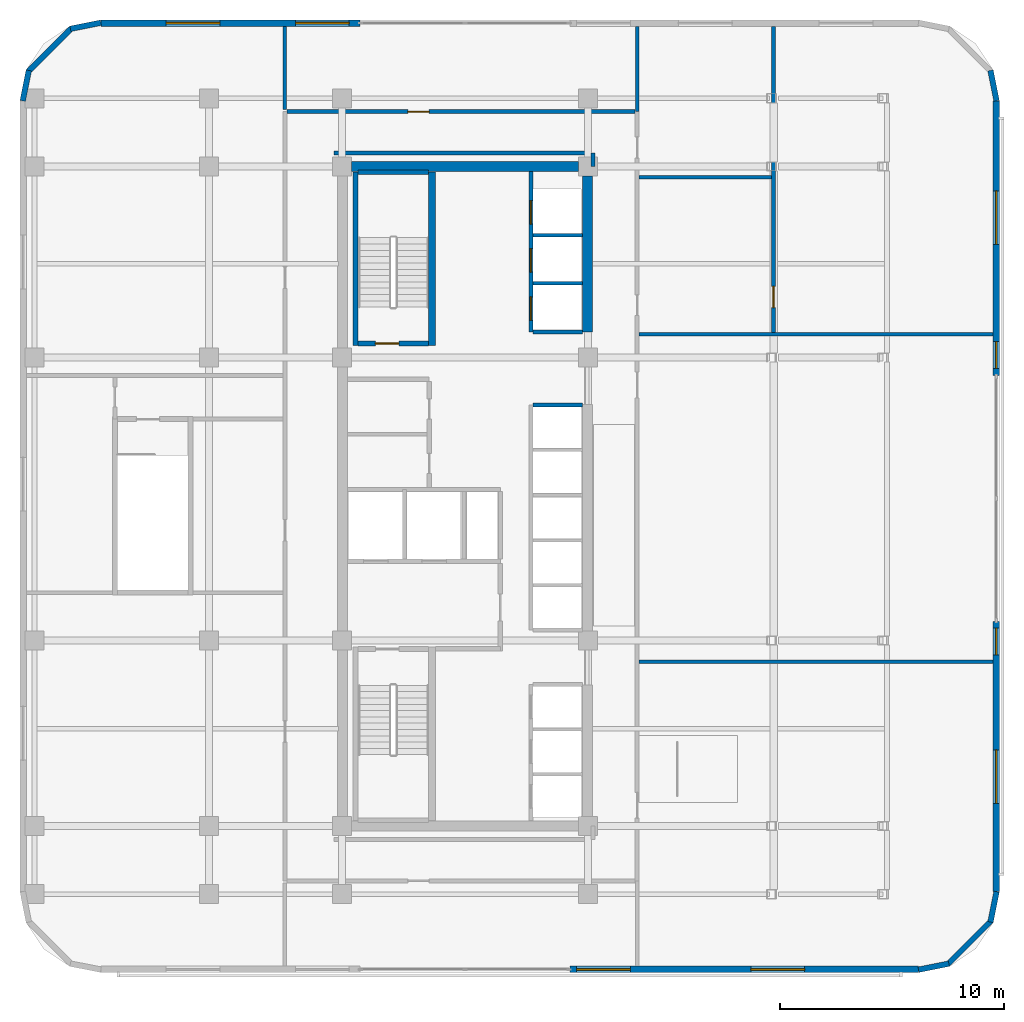
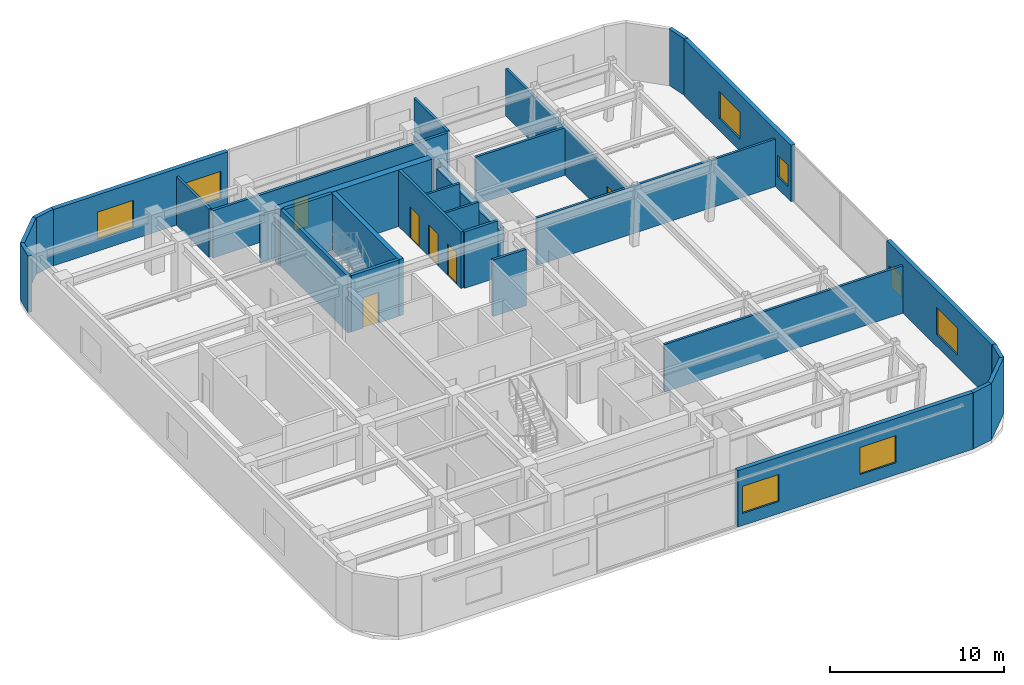
# One storey, part 8 of 13: 31 walls, 8 windows, 6 doors, 14 openings.
"""IFC4 building model written with IfcOpenShell, lengths in metres."""

from ifc_helpers import new_model, si_unit, direction, frame, frame_2d, origin, place, context, subcontext, project, spatial, rectangle, extrude, material, layer, layer_set, type_object, element, fill, save


model = new_model("IFC4")

# Units and contexts
model_context = context("Model", 3, precision=1e-05, world=origin(), true_north=direction((0.0, 1.0)))
body_context = subcontext(model_context, "Body", "Model", "MODEL_VIEW")
ifc_project = project(units=[si_unit("LENGTHUNIT", "METRE"), si_unit("AREAUNIT", "SQUARE_METRE"), si_unit("VOLUMEUNIT", "CUBIC_METRE"), si_unit("PLANEANGLEUNIT", "RADIAN"), si_unit("MASSUNIT", "GRAM", prefix="KILO")], contexts=[model_context])

# Site, building, storey
site_placement = place(None, origin())
site = spatial("IfcSite", under=ifc_project, at=site_placement, CompositionType="ELEMENT")
building_placement = place(site_placement, origin())
building = spatial("IfcBuilding", under=site, at=building_placement, Name="Ochreholt Gables", CompositionType="ELEMENT")
storey_placement = place(building_placement, frame((0.0, 0.0, 98.39990234375)))
storey = spatial("IfcBuildingStorey", under=building, at=storey_placement, Name="L25", CompositionType="ELEMENT", Elevation=98.39990234375)

# Walls
ifc_material_1 = material(Name="Concrete 60 MPa", Category="concrete")
ifc_layer_1 = layer(ifc_material_1, 0.449951171875, Name="Concrete 60 MPa")
ifc_layer_set_1 = layer_set([ifc_layer_1], Name="Concrete 60 MPa")
wall_type_1 = type_object("IfcWallType", Name="WALL-CSW-450", PredefinedType="SHEAR", material=ifc_layer_set_1)
wall_1_placement = place(storey_placement, frame((35.175048828125, 31.35009765625, 0.0), z_axis=(0.0, 0.0, 1.0), x_axis=(0.0, 1.0, 0.0)))
element("IfcWall", 1, at=wall_1_placement, inside=storey, type_object=wall_type_1, Name="L25 Core North-East Shear Wall", PredefinedType="SHEAR", context=body_context, shape_type="SweptSolid", body=[
    extrude(rectangle(XDim=6.974853515625, YDim=0.449951171875, at=frame_2d((3.4873046875, 0.0))), origin(), (0.0, 0.0, 1.0), 3.34912109375),
])
wall_2_placement = place(storey_placement, frame((24.625, 38.75, 0.0), z_axis=(0.0, 0.0, 1.0), x_axis=(1.0, 0.0, 0.0)))
element("IfcWall", 2, at=wall_2_placement, inside=storey, type_object=wall_type_1, Name="L25 Core North Shear Wall", PredefinedType="SHEAR", context=body_context, shape_type="SweptSolid", body=[
    extrude(rectangle(XDim=10.14990234375, YDim=0.449951171875, at=frame_2d((5.074951171875, 0.0))), origin(), (0.0, 0.0, 1.0), 3.960205078125),
])

# Wall, openings, windows
ifc_material_2 = material(Name="Precast concrete 40 MPa", Category="concrete")
ifc_layer_2 = layer(ifc_material_2, 0.280029296875, Name="Precast concrete 40 MPa")
ifc_layer_set_2 = layer_set([ifc_layer_2], Name="Precast concrete 40 MPa")
wall_type_2 = type_object("IfcWallType", Name="WALL-EXT-280", PredefinedType="SOLIDWALL", material=ifc_layer_set_2)
wall_3_placement = place(storey_placement, frame((34.39990234375, 2.840087890625, 0.0), z_axis=(0.0, 0.0, 1.0), x_axis=(1.0, 0.0, 0.0)))
wall_3 = element("IfcWall", 3, at=wall_3_placement, inside=storey, type_object=wall_type_2, Name="L25 South Facade Wall 2", PredefinedType="SOLIDWALL", context=body_context, shape_type="SweptSolid", body=[
    extrude(rectangle(XDim=15.580078125, YDim=0.280029296875, at=frame_2d((7.7900390625, 0.0))), origin(), (0.0, 0.0, 1.0), 3.960205078125),
])
opening_1_placement = place(wall_3_placement, frame((0.300048828125, 0.0, 0.85009765625)))
opening_1 = element("IfcOpeningElement", 4, at=opening_1_placement, cuts=wall_3, Name="Opening WN-5", PredefinedType="OPENING", context=body_context, shape_type="SweptSolid", body=[
    extrude(rectangle(XDim=2.39990234375, YDim=1.89990234375, at=frame_2d((1.199951171875, 0.949951171875))), frame((0.0, 0.14990234375, 0.0), z_axis=(0.0, -1.0, 0.0), x_axis=(1.0, 0.0, 0.0)), (0.0, 0.0, 1.0), 0.300048828125),
])
opening_2_placement = place(wall_3_placement, frame((8.090087890625, 0.0, 0.85009765625)))
opening_2 = element("IfcOpeningElement", 5, at=opening_2_placement, cuts=wall_3, Name="Opening WN-5", PredefinedType="OPENING", context=body_context, shape_type="SweptSolid", body=[
    extrude(rectangle(XDim=2.39990234375, YDim=1.89990234375, at=frame_2d((1.199951171875, 0.949951171875))), frame((0.0, 0.14990234375, 0.0), z_axis=(0.0, -1.0, 0.0), x_axis=(1.0, 0.0, 0.0)), (0.0, 0.0, 1.0), 0.300048828125),
])
ifc_material_3 = material(Name="Triple-Glazed Thermally Broken Aluminium Window", Category="aluminium")
window_type_1 = type_object("IfcWindowType", Name="WIN-COM-2400", PartitioningType="SINGLE_PANEL", PredefinedType="WINDOW", material=ifc_material_3)
window_1_placement = place(opening_1_placement, origin())
window_1 = element("IfcWindow", 6, at=window_1_placement, inside=storey, type_object=window_type_1, Name="L25 Window W-EXT-S2-L25-1", OverallHeight=1.89990234375, OverallWidth=2.39990234375, PartitioningType="SINGLE_PANEL", PredefinedType="WINDOW", context=body_context, shape_type="SweptSolid", body=[
    extrude(rectangle(XDim=2.39990234375, YDim=1.89990234375, at=frame_2d((1.199951171875, 0.949951171875))), frame((0.0, 0.030029296875, 0.0), z_axis=(0.0, -1.0, 0.0), x_axis=(1.0, 0.0, 0.0)), (0.0, 0.0, 1.0), 0.06005859375),
])
fill(opening_1, window_1)
window_2_placement = place(opening_2_placement, origin())
window_2 = element("IfcWindow", 7, at=window_2_placement, inside=storey, type_object=window_type_1, Name="L25 Window W-EXT-S2-L25-2", OverallHeight=1.89990234375, OverallWidth=2.39990234375, PartitioningType="SINGLE_PANEL", PredefinedType="WINDOW", context=body_context, shape_type="SweptSolid", body=[
    extrude(rectangle(XDim=2.39990234375, YDim=1.89990234375, at=frame_2d((1.199951171875, 0.949951171875))), frame((0.0, 0.030029296875, 0.0), z_axis=(0.0, -1.0, 0.0), x_axis=(1.0, 0.0, 0.0)), (0.0, 0.0, 1.0), 0.06005859375),
])
fill(opening_2, window_2)

wall_4_placement = place(storey_placement, frame((53.4599609375, 6.320068359375, 0.0), z_axis=(0.0, 0.0, 1.0), x_axis=(0.0, 1.0, 0.0)))
wall_4 = element("IfcWall", 8, at=wall_4_placement, inside=storey, type_object=wall_type_2, Name="L25 East Facade Wall 1", PredefinedType="SOLIDWALL", context=body_context, shape_type="SweptSolid", body=[
    extrude(rectangle(XDim=12.079833984375, YDim=0.280029296875, at=frame_2d((6.0400390625, 0.0))), origin(), (0.0, 0.0, 1.0), 3.960205078125),
])
opening_3_placement = place(wall_4_placement, frame((3.93994140625, 0.0, 0.85009765625)))
opening_3 = element("IfcOpeningElement", 9, at=opening_3_placement, cuts=wall_4, Name="Opening WN-5", PredefinedType="OPENING", context=body_context, shape_type="SweptSolid", body=[
    extrude(rectangle(XDim=2.39990234375, YDim=1.89990234375, at=frame_2d((1.199951171875, 0.949951171875))), frame((0.0, 0.14990234375, 0.0), z_axis=(0.0, -1.0, 0.0), x_axis=(1.0, 0.0, 0.0)), (0.0, 0.0, 1.0), 0.300048828125),
])
opening_4_placement = place(wall_4_placement, frame((10.580078125, 0.0, 0.85009765625)))
opening_4 = element("IfcOpeningElement", 10, at=opening_4_placement, cuts=wall_4, Name="Opening WN-3", PredefinedType="OPENING", context=body_context, shape_type="SweptSolid", body=[
    extrude(rectangle(XDim=1.199951171875, YDim=1.5, at=frame_2d((0.60009765625, 0.75))), frame((0.0, 0.14990234375, 0.0), z_axis=(0.0, -1.0, 0.0), x_axis=(1.0, 0.0, 0.0)), (0.0, 0.0, 1.0), 0.300048828125),
])
window_3_placement = place(opening_3_placement, origin())
window_3 = element("IfcWindow", 11, at=window_3_placement, inside=storey, type_object=window_type_1, Name="L25 Window W-EXT-E1-L25-1", OverallHeight=1.89990234375, OverallWidth=2.39990234375, PartitioningType="SINGLE_PANEL", PredefinedType="WINDOW", context=body_context, shape_type="SweptSolid", body=[
    extrude(rectangle(XDim=2.39990234375, YDim=1.89990234375, at=frame_2d((1.199951171875, 0.949951171875))), frame((0.0, 0.030029296875, 0.0), z_axis=(0.0, -1.0, 0.0), x_axis=(1.0, 0.0, 0.0)), (0.0, 0.0, 1.0), 0.06005859375),
])
fill(opening_3, window_3)
window_type_2 = type_object("IfcWindowType", Name="WIN-RES-1200", PartitioningType="SINGLE_PANEL", PredefinedType="WINDOW", material=ifc_material_3)
window_4_placement = place(opening_4_placement, origin())
window_4 = element("IfcWindow", 12, at=window_4_placement, inside=storey, type_object=window_type_2, Name="L25 Window W-EXT-E1-L25-2", OverallHeight=1.5, OverallWidth=1.199951171875, PartitioningType="SINGLE_PANEL", PredefinedType="WINDOW", context=body_context, shape_type="SweptSolid", body=[
    extrude(rectangle(XDim=1.199951171875, YDim=1.5, at=frame_2d((0.60009765625, 0.75))), frame((0.0, 0.030029296875, 0.0), z_axis=(0.0, -1.0, 0.0), x_axis=(1.0, 0.0, 0.0)), (0.0, 0.0, 1.0), 0.06005859375),
])
fill(opening_4, window_4)

wall_5_placement = place(storey_placement, frame((53.4599609375, 29.39990234375, 0.0), z_axis=(0.0, 0.0, 1.0), x_axis=(0.0, 1.0, 0.0)))
wall_5 = element("IfcWall", 13, at=wall_5_placement, inside=storey, type_object=wall_type_2, Name="L25 East Facade Wall 2", PredefinedType="SOLIDWALL", context=body_context, shape_type="SweptSolid", body=[
    extrude(rectangle(XDim=12.280029296875, YDim=0.280029296875, at=frame_2d((6.14013671875, 0.0))), origin(), (0.0, 0.0, 1.0), 3.960205078125),
])
opening_5_placement = place(wall_5_placement, frame((0.320068359375, 0.0, 0.85009765625)))
opening_5 = element("IfcOpeningElement", 14, at=opening_5_placement, cuts=wall_5, Name="Opening WN-3", PredefinedType="OPENING", context=body_context, shape_type="SweptSolid", body=[
    extrude(rectangle(XDim=1.199951171875, YDim=1.5, at=frame_2d((0.60009765625, 0.75))), frame((0.0, 0.14990234375, 0.0), z_axis=(0.0, -1.0, 0.0), x_axis=(1.0, 0.0, 0.0)), (0.0, 0.0, 1.0), 0.300048828125),
])
opening_6_placement = place(wall_5_placement, frame((5.860107421875, 0.0, 0.85009765625)))
opening_6 = element("IfcOpeningElement", 15, at=opening_6_placement, cuts=wall_5, Name="Opening WN-5", PredefinedType="OPENING", context=body_context, shape_type="SweptSolid", body=[
    extrude(rectangle(XDim=2.39990234375, YDim=1.89990234375, at=frame_2d((1.199951171875, 0.949951171875))), frame((0.0, 0.14990234375, 0.0), z_axis=(0.0, -1.0, 0.0), x_axis=(1.0, 0.0, 0.0)), (0.0, 0.0, 1.0), 0.300048828125),
])
window_5_placement = place(opening_6_placement, origin())
window_5 = element("IfcWindow", 16, at=window_5_placement, inside=storey, type_object=window_type_1, Name="L25 Window W-EXT-E2-L25-2", OverallHeight=1.89990234375, OverallWidth=2.39990234375, PartitioningType="SINGLE_PANEL", PredefinedType="WINDOW", context=body_context, shape_type="SweptSolid", body=[
    extrude(rectangle(XDim=2.39990234375, YDim=1.89990234375, at=frame_2d((1.199951171875, 0.949951171875))), frame((0.0, 0.030029296875, 0.0), z_axis=(0.0, -1.0, 0.0), x_axis=(1.0, 0.0, 0.0)), (0.0, 0.0, 1.0), 0.06005859375),
])
fill(opening_6, window_5)
window_6_placement = place(opening_5_placement, origin())
window_6 = element("IfcWindow", 17, at=window_6_placement, inside=storey, type_object=window_type_2, Name="L25 Window W-EXT-E2-L25-1", OverallHeight=1.5, OverallWidth=1.199951171875, PartitioningType="SINGLE_PANEL", PredefinedType="WINDOW", context=body_context, shape_type="SweptSolid", body=[
    extrude(rectangle(XDim=1.199951171875, YDim=1.5, at=frame_2d((0.60009765625, 0.75))), frame((0.0, 0.030029296875, 0.0), z_axis=(0.0, -1.0, 0.0), x_axis=(1.0, 0.0, 0.0)), (0.0, 0.0, 1.0), 0.06005859375),
])
fill(opening_5, window_6)

wall_6_placement = place(storey_placement, frame((25.0, 45.159912109375, 0.0), z_axis=(0.0, 0.0, 1.0), x_axis=(-1.0, 0.0, 0.0)))
wall_6 = element("IfcWall", 18, at=wall_6_placement, inside=storey, type_object=wall_type_2, Name="L25 North Facade Wall 2", PredefinedType="SOLIDWALL", context=body_context, shape_type="SweptSolid", body=[
    extrude(rectangle(XDim=11.580078125, YDim=0.280029296875, at=frame_2d((5.7900390625, 0.0))), origin(), (0.0, 0.0, 1.0), 3.960205078125),
])
opening_7_placement = place(wall_6_placement, frame((6.264892578125, 0.0, 0.85009765625)))
opening_7 = element("IfcOpeningElement", 19, at=opening_7_placement, cuts=wall_6, Name="Opening WN-5", PredefinedType="OPENING", context=body_context, shape_type="SweptSolid", body=[
    extrude(rectangle(XDim=2.39990234375, YDim=1.89990234375, at=frame_2d((1.199951171875, 0.949951171875))), frame((0.0, 0.14990234375, 0.0), z_axis=(0.0, -1.0, 0.0), x_axis=(1.0, 0.0, 0.0)), (0.0, 0.0, 1.0), 0.300048828125),
])
opening_8_placement = place(wall_6_placement, frame((0.47509765625, 0.0, 0.85009765625)))
opening_8 = element("IfcOpeningElement", 20, at=opening_8_placement, cuts=wall_6, Name="Opening WN-5", PredefinedType="OPENING", context=body_context, shape_type="SweptSolid", body=[
    extrude(rectangle(XDim=2.39990234375, YDim=1.89990234375, at=frame_2d((1.199951171875, 0.949951171875))), frame((0.0, 0.14990234375, 0.0), z_axis=(0.0, -1.0, 0.0), x_axis=(1.0, 0.0, 0.0)), (0.0, 0.0, 1.0), 0.300048828125),
])
window_7_placement = place(opening_7_placement, origin())
window_7 = element("IfcWindow", 21, at=window_7_placement, inside=storey, type_object=window_type_1, Name="L25 Window W-EXT-N2-L25-1", OverallHeight=1.89990234375, OverallWidth=2.39990234375, PartitioningType="SINGLE_PANEL", PredefinedType="WINDOW", context=body_context, shape_type="SweptSolid", body=[
    extrude(rectangle(XDim=2.39990234375, YDim=1.89990234375, at=frame_2d((1.199951171875, 0.949951171875))), frame((0.0, 0.030029296875, 0.0), z_axis=(0.0, -1.0, 0.0), x_axis=(1.0, 0.0, 0.0)), (0.0, 0.0, 1.0), 0.06005859375),
])
fill(opening_7, window_7)
window_8_placement = place(opening_8_placement, origin())
window_8 = element("IfcWindow", 22, at=window_8_placement, inside=storey, type_object=window_type_1, Name="L25 Window W-EXT-N2-L25-2", OverallHeight=1.89990234375, OverallWidth=2.39990234375, PartitioningType="SINGLE_PANEL", PredefinedType="WINDOW", context=body_context, shape_type="SweptSolid", body=[
    extrude(rectangle(XDim=2.39990234375, YDim=1.89990234375, at=frame_2d((1.199951171875, 0.949951171875))), frame((0.0, 0.030029296875, 0.0), z_axis=(0.0, -1.0, 0.0), x_axis=(1.0, 0.0, 0.0)), (0.0, 0.0, 1.0), 0.06005859375),
])
fill(opening_8, window_8)

# Walls
ifc_layer_3 = layer(ifc_material_2, 0.25, Name="Precast concrete 40 MPa")
ifc_layer_set_3 = layer_set([ifc_layer_3], Name="Precast concrete 40 MPa")
wall_type_3 = type_object("IfcWallType", Name="WALL-EXT-CNR", PredefinedType="SOLIDWALL", material=ifc_layer_set_3)
wall_7_placement = place(storey_placement, frame((49.9833984375, 2.82421875, 0.0), z_axis=(0.0, 0.0, 1.0), x_axis=(0.980809899341, 0.19496651342, 0.0)))
element("IfcWall", 23, at=wall_7_placement, inside=storey, type_object=wall_type_3, Name="L25 Rounded Corner Wall SE-1", PredefinedType="SOLIDWALL", context=body_context, shape_type="SweptSolid", body=[
    extrude(rectangle(XDim=1.388671875, YDim=0.25, at=frame_2d((0.6943359375, 0.0))), origin(), (0.0, 0.0, 1.0), 3.960205078125),
])
wall_8_placement = place(storey_placement, frame((51.294921875, 3.068115234375, 0.0), z_axis=(0.0, 0.0, 1.0), x_axis=(0.707151344399, 0.707062215165, 0.0)))
element("IfcWall", 24, at=wall_8_placement, inside=storey, type_object=wall_type_3, Name="L25 Rounded Corner Wall SE-2", PredefinedType="SOLIDWALL", context=body_context, shape_type="SweptSolid", body=[
    extrude(rectangle(XDim=2.7392578125, YDim=0.25, at=frame_2d((1.36962890625, 0.0))), origin(), (0.0, 0.0, 1.0), 3.960205078125),
])
for number, where, z_axis, x_axis, name in (
    (25, (53.205078125, 4.95458984375, 0.0), (0.0, 0.0, 1.0), (0.195000137217, 0.980803214965, 0.0), "L25 Rounded Corner Wall SE-3"),
    (26, (53.475830078125, 41.68359375, 0.0), (0.0, 0.0, 1.0), (-0.195000137217, 0.980803214965, 0.0), "L25 Rounded Corner Wall NE-1"),
):
    element("IfcWall", number, at=place(storey_placement, frame(where, z_axis=z_axis, x_axis=x_axis)), inside=storey, type_object=wall_type_3, Name=name, PredefinedType="SOLIDWALL", context=body_context, shape_type="SweptSolid", body=[
        extrude(rectangle(XDim=1.388427734375, YDim=0.25, at=frame_2d((0.6943359375, 0.0))), origin(), (0.0, 0.0, 1.0), 3.960205078125),
    ])
wall_9_placement = place(storey_placement, frame((13.41650390625, 45.17578125, 0.0), z_axis=(0.0, 0.0, 1.0), x_axis=(-0.980809899341, -0.19496651342, 0.0)))
element("IfcWall", 27, at=wall_9_placement, inside=storey, type_object=wall_type_3, Name="L25 Rounded Corner Wall NW-1", PredefinedType="SOLIDWALL", context=body_context, shape_type="SweptSolid", body=[
    extrude(rectangle(XDim=1.388671875, YDim=0.25, at=frame_2d((0.6943359375, 0.0))), origin(), (0.0, 0.0, 1.0), 3.960205078125),
])
wall_10_placement = place(storey_placement, frame((12.10498046875, 44.931884765625, 0.0), z_axis=(0.0, 0.0, 1.0), x_axis=(-0.707151344399, -0.707062215165, 0.0)))
element("IfcWall", 28, at=wall_10_placement, inside=storey, type_object=wall_type_3, Name="L25 Rounded Corner Wall NW-2", PredefinedType="SOLIDWALL", context=body_context, shape_type="SweptSolid", body=[
    extrude(rectangle(XDim=2.7392578125, YDim=0.25, at=frame_2d((1.36962890625, 0.0))), origin(), (0.0, 0.0, 1.0), 3.960205078125),
])
wall_11_placement = place(storey_placement, frame((10.195068359375, 43.04541015625, 0.0), z_axis=(0.0, 0.0, 1.0), x_axis=(-0.195000137217, -0.980803214965, 0.0)))
element("IfcWall", 29, at=wall_11_placement, inside=storey, type_object=wall_type_3, Name="L25 Rounded Corner Wall NW-3", PredefinedType="SOLIDWALL", context=body_context, shape_type="SweptSolid", body=[
    extrude(rectangle(XDim=1.388427734375, YDim=0.25, at=frame_2d((0.6943359375, 0.0))), origin(), (0.0, 0.0, 1.0), 3.960205078125),
])
ifc_material_4 = material(Name="Fire-Rated Gypsum Acoustic Partition", Category="gypsum")
ifc_layer_4 = layer(ifc_material_4, 0.179931640625, Name="Fire-Rated Gypsum Acoustic Partition")
ifc_layer_set_4 = layer_set([ifc_layer_4], Name="Fire-Rated Gypsum Acoustic Partition")
wall_type_4 = type_object("IfcWallType", Name="WALL-INT-CR180", PredefinedType="STANDARD", material=ifc_layer_set_4)
wall_12_placement = place(storey_placement, frame((35.419921875, 38.75, 0.0), z_axis=(0.0, 0.0, 1.0), x_axis=(0.0, 1.0, 0.0)))
element("IfcWall", 30, at=wall_12_placement, inside=storey, type_object=wall_type_4, Name="L25 Interior Wall WI-CMCNW1-L25", PredefinedType="STANDARD", context=body_context, shape_type="SweptSolid", body=[
    extrude(rectangle(XDim=0.60009765625, YDim=0.179931640625, at=frame_2d((0.300048828125, 0.0))), origin(), (0.0, 0.0, 1.0), 3.3310546875),
])

# Wall, opening, door
wall_13_placement = place(storey_placement, frame((21.739990234375, 41.199951171875, 0.0), z_axis=(0.0, 0.0, 1.0), x_axis=(1.0, 0.0, 0.0)))
wall_13 = element("IfcWall", 31, at=wall_13_placement, inside=storey, type_object=wall_type_4, Name="L25 Interior Wall WI-CMCN-L25", PredefinedType="STANDARD", context=body_context, shape_type="SweptSolid", body=[
    extrude(rectangle(XDim=15.570068359375, YDim=0.179931640625, at=frame_2d((7.78515625, 0.0))), origin(), (0.0, 0.0, 1.0), 3.3310546875),
])
opening_9_placement = place(wall_13_placement, frame((5.409912109375, 0.0, 0.0)))
opening_9 = element("IfcOpeningElement", 32, at=opening_9_placement, cuts=wall_13, Name="Opening D-GN1", PredefinedType="OPENING", context=body_context, shape_type="SweptSolid", body=[
    extrude(rectangle(XDim=0.949951171875, YDim=2.14990234375, at=frame_2d((0.47509765625, 1.074951171875))), frame((0.0, 0.099853515625, 0.0), z_axis=(0.0, -1.0, 0.0), x_axis=(1.0, 0.0, 0.0)), (0.0, 0.0, 1.0), 0.199951171875),
])
ifc_material_5 = material(Name="Engineered Oak Timber", Category="wood")
door_type_1 = type_object("IfcDoorType", Name="DR-INT-GEN950", OperationType="NOTDEFINED", PredefinedType="DOOR", material=ifc_material_5)
door_1_placement = place(opening_9_placement, origin())
door_1 = element("IfcDoor", 33, at=door_1_placement, inside=storey, type_object=door_type_1, Name="L25 Door D-CMCN-L25", OperationType="SINGLE_SWING_RIGHT", OverallHeight=2.14990234375, OverallWidth=0.949951171875, PredefinedType="DOOR", context=body_context, shape_type="SweptSolid", body=[
    extrude(rectangle(XDim=0.949951171875, YDim=2.14990234375, at=frame_2d((0.47509765625, 1.074951171875))), frame((0.0, 0.02490234375, 0.0), z_axis=(0.0, -1.0, 0.0), x_axis=(1.0, 0.0, 0.0)), (0.0, 0.0, 1.0), 0.050048828125),
])
fill(opening_9, door_1)

# Wall
wall_14_placement = place(storey_placement, frame((23.85009765625, 39.35009765625, 0.0), z_axis=(0.0, 0.0, 1.0), x_axis=(1.0, 0.0, 0.0)))
element("IfcWall", 34, at=wall_14_placement, inside=storey, type_object=wall_type_4, Name="L25 Interior Wall WI-CMCN2-L25", PredefinedType="STANDARD", context=body_context, shape_type="SweptSolid", body=[
    extrude(rectangle(XDim=11.47998046875, YDim=0.179931640625, at=frame_2d((5.739990234375, 0.0))), origin(), (0.0, 0.0, 1.0), 3.3310546875),
])

# Wall, opening, door
ifc_material_6 = material(Name="Moisture-Resistant Plumbing Chase Wall", Category="gypsum")
ifc_layer_5 = layer(ifc_material_6, 0.159912109375, Name="Moisture-Resistant Plumbing Chase Wall")
ifc_layer_set_5 = layer_set([ifc_layer_5], Name="Moisture-Resistant Plumbing Chase Wall")
wall_type_5 = type_object("IfcWallType", Name="WALL-INT-PL160", PredefinedType="PLUMBINGWALL", material=ifc_layer_set_5)
wall_15_placement = place(storey_placement, frame((43.5, 31.320068359375, 0.0), z_axis=(0.0, 0.0, 1.0), x_axis=(0.0, 1.0, 0.0)))
wall_15 = element("IfcWall", 35, at=wall_15_placement, inside=storey, type_object=wall_type_5, Name="L25 Interior Wall WI-CMWC-L25", PredefinedType="PLUMBINGWALL", context=body_context, shape_type="SweptSolid", body=[
    extrude(rectangle(XDim=13.699951171875, YDim=0.159912109375, at=frame_2d((6.85009765625, 0.0))), origin(), (0.0, 0.0, 1.0), 3.3310546875),
])
opening_10_placement = place(wall_15_placement, frame((1.1201171875, 0.0, 0.0)))
opening_10 = element("IfcOpeningElement", 36, at=opening_10_placement, cuts=wall_15, Name="Opening D-GN1", PredefinedType="OPENING", context=body_context, shape_type="SweptSolid", body=[
    extrude(rectangle(XDim=0.949951171875, YDim=2.14990234375, at=frame_2d((0.47509765625, 1.074951171875))), frame((0.0, 0.08984375, 0.0), z_axis=(0.0, -1.0, 0.0), x_axis=(1.0, 0.0, 0.0)), (0.0, 0.0, 1.0), 0.179931640625),
])
door_2_placement = place(opening_10_placement, origin())
door_2 = element("IfcDoor", 37, at=door_2_placement, inside=storey, type_object=door_type_1, Name="L25 Door D-CMNE-L25", OperationType="SINGLE_SWING_LEFT", OverallHeight=2.14990234375, OverallWidth=0.949951171875, PredefinedType="DOOR", context=body_context, shape_type="SweptSolid", body=[
    extrude(rectangle(XDim=0.949951171875, YDim=2.14990234375, at=frame_2d((0.47509765625, 1.074951171875))), frame((0.0, 0.02490234375, 0.0), z_axis=(0.0, -1.0, 0.0), x_axis=(1.0, 0.0, 0.0)), (0.0, 0.0, 1.0), 0.050048828125),
])
fill(opening_10, door_2)

# Walls
wall_16_placement = place(storey_placement, frame((37.489990234375, 38.27001953125, 0.0), z_axis=(0.0, 0.0, 1.0), x_axis=(1.0, 0.0, 0.0)))
element("IfcWall", 38, at=wall_16_placement, inside=storey, type_object=wall_type_5, Name="L25 Interior Wall WI-CMWCD-L25", PredefinedType="PLUMBINGWALL", context=body_context, shape_type="SweptSolid", body=[
    extrude(rectangle(XDim=5.929931640625, YDim=0.159912109375, at=frame_2d((2.96484375, 0.0))), origin(), (0.0, 0.0, 1.0), 3.3310546875),
])
ifc_material_7 = material(Name="Gypsum Acoustic Stud Partition", Category="gypsum")
ifc_layer_6 = layer(ifc_material_7, 0.159912109375, Name="Gypsum Acoustic Stud Partition")
ifc_layer_set_6 = layer_set([ifc_layer_6], Name="Gypsum Acoustic Stud Partition")
wall_type_6 = type_object("IfcWallType", Name="WALL-INT-PT160", PredefinedType="PARTITIONING", material=ifc_layer_set_6)
wall_17_placement = place(storey_placement, frame((37.39990234375, 41.199951171875, 0.0), z_axis=(0.0, 0.0, 1.0), x_axis=(0.0, 1.0, 0.0)))
element("IfcWall", 39, at=wall_17_placement, inside=storey, type_object=wall_type_6, Name="L25 Interior Wall WI-CMCEN-L25", PredefinedType="PARTITIONING", context=body_context, shape_type="SweptSolid", body=[
    extrude(rectangle(XDim=3.820068359375, YDim=0.159912109375, at=frame_2d((1.91015625, 0.0))), origin(), (0.0, 0.0, 1.0), 3.4091796875),
])
for number, where, z_axis, x_axis, name in (
    (40, (37.489990234375, 16.60009765625, 0.0), (0.0, 0.0, 1.0), (1.0, 0.0, 0.0), "L25 Interior Wall WI-CME1-L25"),
    (41, (37.489990234375, 31.239990234375, 0.0), (0.0, 0.0, 1.0), (1.0, 0.0, 0.0), "L25 Interior Wall WI-CME2-L25"),
):
    element("IfcWall", number, at=place(storey_placement, frame(where, z_axis=z_axis, x_axis=x_axis)), inside=storey, type_object=wall_type_6, Name=name, PredefinedType="PARTITIONING", context=body_context, shape_type="SweptSolid", body=[
        extrude(rectangle(XDim=15.830078125, YDim=0.159912109375, at=frame_2d((7.9150390625, 0.0))), origin(), (0.0, 0.0, 1.0), 3.3310546875),
    ])
wall_18_placement = place(storey_placement, frame((21.64990234375, 41.2900390625, 0.0), z_axis=(0.0, 0.0, 1.0), x_axis=(0.0, 1.0, 0.0)))
element("IfcWall", 42, at=wall_18_placement, inside=storey, type_object=wall_type_6, Name="L25 Interior Wall WI-CMCWN-L25", PredefinedType="PARTITIONING", context=body_context, shape_type="SweptSolid", body=[
    extrude(rectangle(XDim=3.72998046875, YDim=0.159912109375, at=frame_2d((1.864990234375, 0.0))), origin(), (0.0, 0.0, 1.0), 3.4091796875),
])
ifc_material_8 = material(Name="Gypsum Shaftliner and Steel Stud", Category="steel")
ifc_layer_7 = layer(ifc_material_8, 0.14990234375, Name="Gypsum Shaftliner and Steel Stud")
ifc_layer_set_7 = layer_set([ifc_layer_7], Name="Gypsum Shaftliner and Steel Stud")
wall_type_7 = type_object("IfcWallType", Name="WALL-INT-SH150", PredefinedType="STANDARD", material=ifc_layer_set_7)
for number, where, z_axis, x_axis, name in (
    (43, (32.739990234375, 33.52001953125, 0.0), (0.0, 0.0, 1.0), (1.0, 0.0, 0.0), "L25 Interior Wall WI-LFM-D1-L25"),
    (44, (32.739990234375, 35.669921875, 0.0), (0.0, 0.0, 1.0), (1.0, 0.0, 0.0), "L25 Interior Wall WI-LFM-D2-L25"),
):
    element("IfcWall", number, at=place(storey_placement, frame(where, z_axis=z_axis, x_axis=x_axis)), inside=storey, type_object=wall_type_7, Name=name, PredefinedType="STANDARD", context=body_context, shape_type="SweptSolid", body=[
        extrude(rectangle(XDim=2.2099609375, YDim=0.14990234375, at=frame_2d((1.10498046875, 0.0))), origin(), (0.0, 0.0, 1.0), 3.960205078125),
    ])
ifc_layer_8 = layer(ifc_material_8, 0.179931640625, Name="Gypsum Shaftliner and Steel Stud")
ifc_layer_set_8 = layer_set([ifc_layer_8], Name="Gypsum Shaftliner and Steel Stud")
wall_type_8 = type_object("IfcWallType", Name="WALL-INT-SH180", PredefinedType="STANDARD", material=ifc_layer_set_8)
wall_19_placement = place(storey_placement, frame((32.739990234375, 28.080078125, 0.0), z_axis=(0.0, 0.0, 1.0), x_axis=(1.0, 0.0, 0.0)))
element("IfcWall", 45, at=wall_19_placement, inside=storey, type_object=wall_type_8, Name="L25 Interior Wall WI-LFHE-N-L25", PredefinedType="STANDARD", context=body_context, shape_type="SweptSolid", body=[
    extrude(rectangle(XDim=2.2099609375, YDim=0.179931640625, at=frame_2d((1.10498046875, 0.0))), origin(), (0.0, 0.0, 1.0), 3.960205078125),
])

# Wall, openings, doors
wall_20_placement = place(storey_placement, frame((32.64990234375, 31.35009765625, 0.0), z_axis=(0.0, 0.0, 1.0), x_axis=(0.0, 1.0, 0.0)))
wall_20 = element("IfcWall", 46, at=wall_20_placement, inside=storey, type_object=wall_type_8, Name="L25 Interior Wall WI-LFM-FR-L25", PredefinedType="STANDARD", context=body_context, shape_type="SweptSolid", body=[
    extrude(rectangle(XDim=7.1748046875, YDim=0.179931640625, at=frame_2d((3.58740234375, 0.0))), origin(), (0.0, 0.0, 1.0), 3.960205078125),
])
opening_11_placement = place(wall_20_placement, frame((0.52001953125, 0.0, 0.0)))
opening_11 = element("IfcOpeningElement", 47, at=opening_11_placement, cuts=wall_20, Name="Opening LD-PX", PredefinedType="OPENING", context=body_context, shape_type="SweptSolid", body=[
    extrude(rectangle(XDim=1.050048828125, YDim=2.199951171875, at=frame_2d((0.52490234375, 1.10009765625))), frame((0.0, 0.099853515625, 0.0), z_axis=(0.0, -1.0, 0.0), x_axis=(1.0, 0.0, 0.0)), (0.0, 0.0, 1.0), 0.199951171875),
])
opening_12_placement = place(wall_20_placement, frame((2.669921875, 0.0, 0.0)))
opening_12 = element("IfcOpeningElement", 48, at=opening_12_placement, cuts=wall_20, Name="Opening LD-PX", PredefinedType="OPENING", context=body_context, shape_type="SweptSolid", body=[
    extrude(rectangle(XDim=1.050048828125, YDim=2.199951171875, at=frame_2d((0.52490234375, 1.10009765625))), frame((0.0, 0.099853515625, 0.0), z_axis=(0.0, -1.0, 0.0), x_axis=(1.0, 0.0, 0.0)), (0.0, 0.0, 1.0), 0.199951171875),
])
opening_13_placement = place(wall_20_placement, frame((4.820068359375, 0.0, 0.0)))
opening_13 = element("IfcOpeningElement", 49, at=opening_13_placement, cuts=wall_20, Name="Opening LD-PX", PredefinedType="OPENING", context=body_context, shape_type="SweptSolid", body=[
    extrude(rectangle(XDim=1.050048828125, YDim=2.199951171875, at=frame_2d((0.52490234375, 1.10009765625))), frame((0.0, 0.099853515625, 0.0), z_axis=(0.0, -1.0, 0.0), x_axis=(1.0, 0.0, 0.0)), (0.0, 0.0, 1.0), 0.199951171875),
])
ifc_material_9 = material(Name="Stainless Steel", Category="steel")
door_type_2 = type_object("IfcDoorType", Name="DR-LFT-PX1050", OperationType="NOTDEFINED", PredefinedType="DOOR", material=ifc_material_9)
door_3_placement = place(opening_11_placement, origin())
door_3 = element("IfcDoor", 50, at=door_3_placement, inside=storey, type_object=door_type_2, Name="L25 Door LD-M1-L25", OperationType="SLIDING_TO_LEFT", OverallHeight=2.199951171875, OverallWidth=1.050048828125, PredefinedType="DOOR", context=body_context, shape_type="SweptSolid", body=[
    extrude(rectangle(XDim=1.050048828125, YDim=2.199951171875, at=frame_2d((0.52490234375, 1.10009765625))), frame((0.0, 0.02490234375, 0.0), z_axis=(0.0, -1.0, 0.0), x_axis=(1.0, 0.0, 0.0)), (0.0, 0.0, 1.0), 0.050048828125),
])
fill(opening_11, door_3)
door_4_placement = place(opening_12_placement, origin())
door_4 = element("IfcDoor", 51, at=door_4_placement, inside=storey, type_object=door_type_2, Name="L25 Door LD-M2-L25", OperationType="SLIDING_TO_LEFT", OverallHeight=2.199951171875, OverallWidth=1.050048828125, PredefinedType="DOOR", context=body_context, shape_type="SweptSolid", body=[
    extrude(rectangle(XDim=1.050048828125, YDim=2.199951171875, at=frame_2d((0.52490234375, 1.10009765625))), frame((0.0, 0.02490234375, 0.0), z_axis=(0.0, -1.0, 0.0), x_axis=(1.0, 0.0, 0.0)), (0.0, 0.0, 1.0), 0.050048828125),
])
fill(opening_12, door_4)
door_5_placement = place(opening_13_placement, origin())
door_5 = element("IfcDoor", 52, at=door_5_placement, inside=storey, type_object=door_type_2, Name="L25 Door LD-M3-L25", OperationType="SLIDING_TO_LEFT", OverallHeight=2.199951171875, OverallWidth=1.050048828125, PredefinedType="DOOR", context=body_context, shape_type="SweptSolid", body=[
    extrude(rectangle(XDim=1.050048828125, YDim=2.199951171875, at=frame_2d((0.52490234375, 1.10009765625))), frame((0.0, 0.02490234375, 0.0), z_axis=(0.0, -1.0, 0.0), x_axis=(1.0, 0.0, 0.0)), (0.0, 0.0, 1.0), 0.050048828125),
])
fill(opening_13, door_5)

# Walls
wall_21_placement = place(storey_placement, frame((32.739990234375, 31.35009765625, 0.0), z_axis=(0.0, 0.0, 1.0), x_axis=(1.0, 0.0, 0.0)))
element("IfcWall", 53, at=wall_21_placement, inside=storey, type_object=wall_type_8, Name="L25 Interior Wall WI-LFM-S-L25", PredefinedType="STANDARD", context=body_context, shape_type="SweptSolid", body=[
    extrude(rectangle(XDim=2.2099609375, YDim=0.179931640625, at=frame_2d((1.10498046875, 0.0))), origin(), (0.0, 0.0, 1.0), 3.960205078125),
])
ifc_layer_9 = layer(ifc_material_1, 0.300048828125, Name="Concrete 60 MPa")
ifc_layer_set_9 = layer_set([ifc_layer_9], Name="Concrete 60 MPa")
wall_type_9 = type_object("IfcWallType", Name="WALL-SPN-300", PredefinedType="SHEAR", material=ifc_layer_set_9)
wall_22_placement = place(storey_placement, frame((28.22998046875, 30.739990234375, 0.0), z_axis=(0.0, 0.0, 1.0), x_axis=(0.0, 1.0, 0.0)))
element("IfcWall", 54, at=wall_22_placement, inside=storey, type_object=wall_type_9, Name="L25 Core North Spine Shear Wall", PredefinedType="SHEAR", context=body_context, shape_type="SweptSolid", body=[
    extrude(rectangle(XDim=7.760009765625, YDim=0.300048828125, at=frame_2d((3.8798828125, 0.0))), origin(), (0.0, 0.0, 1.0), 3.960205078125),
])
ifc_material_10 = material(Name="Concrete 50 MPa", Category="concrete")
ifc_layer_10 = layer(ifc_material_10, 0.219970703125, Name="Concrete 50 MPa")
ifc_layer_set_10 = layer_set([ifc_layer_10], Name="Concrete 50 MPa")
wall_type_10 = type_object("IfcWallType", Name="WALL-STW-220", PredefinedType="SHEAR", material=ifc_layer_set_10)
wall_23_placement = place(storey_placement, frame((24.81005859375, 30.739990234375, 0.0), z_axis=(0.0, 0.0, 1.0), x_axis=(0.0, 1.0, 0.0)))
element("IfcWall", 55, at=wall_23_placement, inside=storey, type_object=wall_type_10, Name="L25 Exit Stair 2 West Wall", PredefinedType="SHEAR", context=body_context, shape_type="SweptSolid", body=[
    extrude(rectangle(XDim=7.760009765625, YDim=0.219970703125, at=frame_2d((3.8798828125, 0.0))), origin(), (0.0, 0.0, 1.0), 3.960205078125),
])

# Wall, opening, door
wall_24_placement = place(storey_placement, frame((24.919921875, 30.830078125, 0.0), z_axis=(0.0, 0.0, 1.0), x_axis=(1.0, 0.0, 0.0)))
wall_24 = element("IfcWall", 56, at=wall_24_placement, inside=storey, type_object=wall_type_10, Name="L25 Exit Stair 2 South Wall", PredefinedType="SHEAR", context=body_context, shape_type="SweptSolid", body=[
    extrude(rectangle(XDim=3.16015625, YDim=0.219970703125, at=frame_2d((1.580078125, 0.0))), origin(), (0.0, 0.0, 1.0), 3.960205078125),
])
opening_14_placement = place(wall_24_placement, frame((0.780029296875, 0.0, 0.0)))
opening_14 = element("IfcOpeningElement", 57, at=opening_14_placement, cuts=wall_24, Name="Opening D-STC", PredefinedType="OPENING", context=body_context, shape_type="SweptSolid", body=[
    extrude(rectangle(XDim=1.050048828125, YDim=2.14990234375, at=frame_2d((0.52490234375, 1.074951171875))), frame((0.0, 0.119873046875, 0.0), z_axis=(0.0, -1.0, 0.0), x_axis=(1.0, 0.0, 0.0)), (0.0, 0.0, 1.0), 0.239990234375),
])
ifc_material_11 = material(Name="Hollow Metal Steel", Category="steel")
door_type_3 = type_object("IfcDoorType", Name="DR-INT-ST1050", OperationType="NOTDEFINED", PredefinedType="DOOR", material=ifc_material_11)
door_6_placement = place(opening_14_placement, origin())
door_6 = element("IfcDoor", 58, at=door_6_placement, inside=storey, type_object=door_type_3, Name="L25 Door D-ST2-L25", OperationType="SINGLE_SWING_RIGHT", OverallHeight=2.14990234375, OverallWidth=1.050048828125, PredefinedType="DOOR", context=body_context, shape_type="SweptSolid", body=[
    extrude(rectangle(XDim=1.050048828125, YDim=2.14990234375, at=frame_2d((0.52490234375, 1.074951171875))), frame((0.0, 0.02490234375, 0.0), z_axis=(0.0, -1.0, 0.0), x_axis=(1.0, 0.0, 0.0)), (0.0, 0.0, 1.0), 0.050048828125),
])
fill(opening_14, door_6)

# Wall
wall_25_placement = place(storey_placement, frame((24.919921875, 38.489990234375, 0.0), z_axis=(0.0, 0.0, 1.0), x_axis=(1.0, 0.0, 0.0)))
element("IfcWall", 59, at=wall_25_placement, inside=storey, type_object=wall_type_10, Name="L25 Exit Stair 2 North Wall", PredefinedType="SHEAR", context=body_context, shape_type="SweptSolid", body=[
    extrude(rectangle(XDim=3.16015625, YDim=0.219970703125, at=frame_2d((1.580078125, 0.0))), origin(), (0.0, 0.0, 1.0), 3.960205078125),
])

save(model, "model.ifc")
